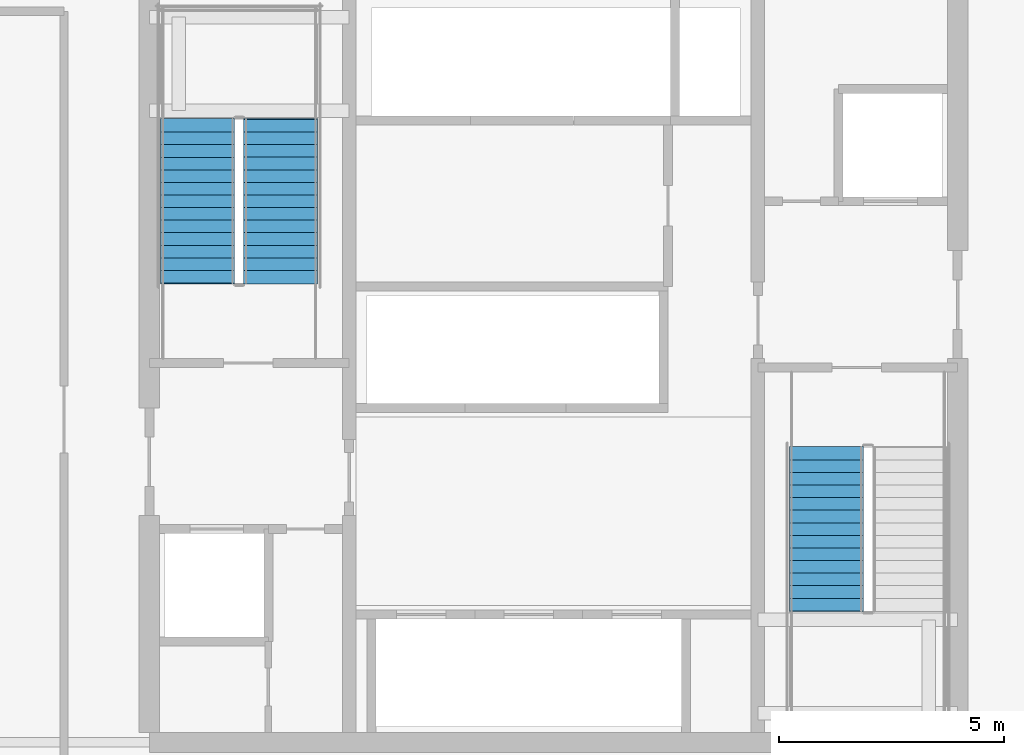
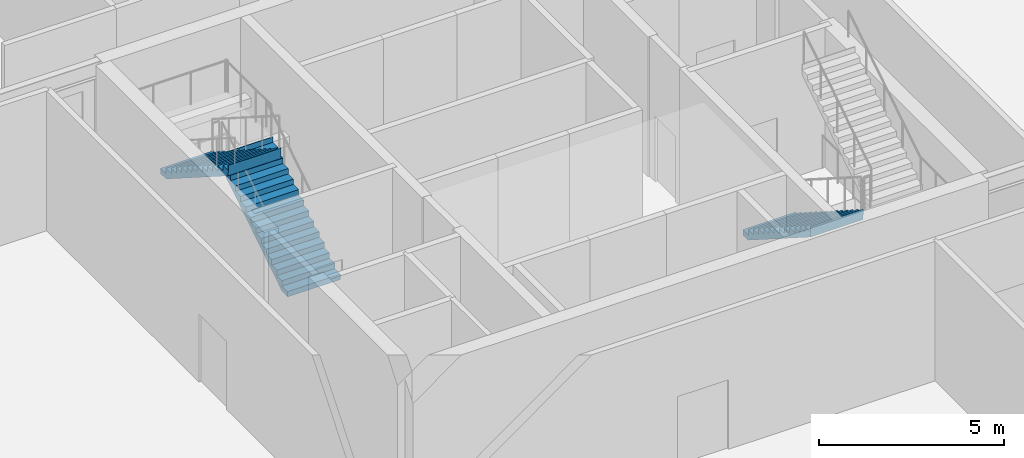
# One storey, part 16 of 20: 3 stair flights, 2 elements without a shape of their own.
"""IFC4 building model written with IfcOpenShell, lengths in metres."""

from ifc_helpers import new_model, si_unit, direction, frame, origin, place, context, subcontext, project, spatial, polygons, material, type_object, element, aggregate, save


model = new_model("IFC4")

# Units and contexts
model_context = context("Model", 3, precision=1e-05, world=origin(), true_north=direction((0.0, 1.0)))
body_context = subcontext(model_context, "Body", "Model", "MODEL_VIEW")
ifc_project = project(units=[si_unit("LENGTHUNIT", "METRE"), si_unit("AREAUNIT", "SQUARE_METRE"), si_unit("VOLUMEUNIT", "CUBIC_METRE"), si_unit("PLANEANGLEUNIT", "RADIAN"), si_unit("MASSUNIT", "GRAM", prefix="KILO")], contexts=[model_context])

# Site, building, storey
site_placement = place(None, origin())
site = spatial("IfcSite", under=ifc_project, at=site_placement, CompositionType="ELEMENT")
building_placement = place(site_placement, origin())
building = spatial("IfcBuilding", under=site, at=building_placement, Name="Serunith Strait Residences", CompositionType="ELEMENT")
storey_placement = place(building_placement, frame((0.0, 0.0, 5.5)))
storey = spatial("IfcBuildingStorey", under=building, at=storey_placement, Name="L01", CompositionType="ELEMENT", Elevation=5.5)

# Stair, stair flights
ifc_material = material(Name="Concrete C50/60", Category="concrete")
stair_type_1 = type_object("IfcStairType", Name="STR-CORE-1", PredefinedType="HALF_TURN_STAIR", material=ifc_material)
stair_1_placement = place(storey_placement, origin())
stair_1 = element("IfcStair", 1, at=stair_1_placement, inside=storey, type_object=stair_type_1, Name="L01 Protected Escape Stair ST-1", PredefinedType="HALF_TURN_STAIR")
stair_flight_type_1 = type_object("IfcStairFlightType", Name="FLT-CORE-1", PredefinedType="STRAIGHT", material=ifc_material)
stair_flight_1_placement = place(storey_placement, frame((26.324951171875, 27.030029296875, 0.0), z_axis=(0.0, 0.0, 1.0), x_axis=(0.0, 1.0, 0.0)))
stair_flight_1 = element("IfcStairFlight", 2, at=stair_flight_1_placement, type_object=stair_flight_type_1, Name="ST-1 flight 1", NumberOfRisers=14, NumberOfTreads=13, PredefinedType="STRAIGHT", RiserHeight=0.178571429, TreadLength=0.28, context=body_context, shape_type="Tessellation", body=[
    polygons([(-0.02001953125, -0.824951171875, 0.0), (-0.02001953125, -0.824951171875, 0.178466796875), (0.280029296875, -0.824951171875, 0.178466796875), (0.280029296875, -0.824951171875, 0.357177734375), (0.56005859375, -0.824951171875, 0.357177734375), (0.56005859375, -0.824951171875, 0.53564453125), (0.840087890625, -0.824951171875, 0.53564453125), (0.840087890625, -0.824951171875, 0.71435546875), (1.1201171875, -0.824951171875, 0.71435546875), (1.1201171875, -0.824951171875, 0.892822265625), (1.39990234375, -0.824951171875, 0.892822265625), (1.39990234375, -0.824951171875, 1.071533203125), (1.679931640625, -0.824951171875, 1.071533203125), (1.679931640625, -0.824951171875, 1.25), (1.9599609375, -0.824951171875, 1.25), (1.9599609375, -0.824951171875, 1.428466796875), (2.239990234375, -0.824951171875, 1.428466796875), (2.239990234375, -0.824951171875, 1.607177734375), (2.52001953125, -0.824951171875, 1.607177734375), (2.52001953125, -0.824951171875, 1.78564453125), (2.800048828125, -0.824951171875, 1.78564453125), (2.800048828125, -0.824951171875, 1.96435546875), (3.080078125, -0.824951171875, 1.96435546875), (3.080078125, -0.824951171875, 2.142822265625), (3.360107421875, -0.824951171875, 2.142822265625), (3.360107421875, -0.824951171875, 2.321533203125), (3.639892578125, -0.824951171875, 2.321533203125), (3.639892578125, -0.824951171875, 2.5), (3.659912109375, -0.824951171875, 2.5), (3.659912109375, -0.824951171875, 2.43994140625), (3.639892578125, -0.824951171875, 2.1435546875), (0.27880859375, -0.824951171875, 0.0), (-0.02001953125, -0.41259765625, 0.0), (-0.02001953125, -0.41259765625, 0.178466796875), (0.280029296875, -0.41259765625, 0.178466796875), (0.280029296875, -0.41259765625, 0.357177734375), (0.56005859375, -0.41259765625, 0.357177734375), (0.56005859375, -0.41259765625, 0.53564453125), (0.840087890625, -0.41259765625, 0.53564453125), (0.840087890625, -0.41259765625, 0.71435546875), (1.1201171875, -0.41259765625, 0.71435546875), (1.1201171875, -0.41259765625, 0.892822265625), (1.39990234375, -0.41259765625, 0.892822265625), (1.39990234375, -0.41259765625, 1.071533203125), (1.679931640625, -0.41259765625, 1.071533203125), (1.679931640625, -0.41259765625, 1.25), (1.9599609375, -0.41259765625, 1.25), (1.9599609375, -0.41259765625, 1.428466796875), (2.239990234375, -0.41259765625, 1.428466796875), (2.239990234375, -0.41259765625, 1.607177734375), (2.52001953125, -0.41259765625, 1.607177734375), (2.52001953125, -0.41259765625, 1.78564453125), (2.800048828125, -0.41259765625, 1.78564453125), (2.800048828125, -0.41259765625, 1.96435546875), (3.080078125, -0.41259765625, 1.96435546875), (3.080078125, -0.41259765625, 2.142822265625), (3.360107421875, -0.41259765625, 2.142822265625), (3.360107421875, -0.41259765625, 2.321533203125), (3.639892578125, -0.41259765625, 2.321533203125), (3.639892578125, -0.41259765625, 2.5), (3.659912109375, -0.41259765625, 2.5), (3.659912109375, -0.41259765625, 2.43994140625), (3.639892578125, -0.41259765625, 2.1435546875), (0.27880859375, -0.41259765625, 0.0), (-0.02001953125, 0.0, 0.0), (-0.02001953125, 0.0, 0.178466796875), (0.280029296875, 0.0, 0.178466796875), (0.280029296875, 0.0, 0.357177734375), (0.56005859375, 0.0, 0.357177734375), (0.56005859375, 0.0, 0.53564453125), (0.840087890625, 0.0, 0.53564453125), (0.840087890625, 0.0, 0.71435546875), (1.1201171875, 0.0, 0.71435546875), (1.1201171875, 0.0, 0.892822265625), (1.39990234375, 0.0, 0.892822265625), (1.39990234375, 0.0, 1.071533203125), (1.679931640625, 0.0, 1.071533203125), (1.679931640625, 0.0, 1.25), (1.9599609375, 0.0, 1.25), (1.9599609375, 0.0, 1.428466796875), (2.239990234375, 0.0, 1.428466796875), (2.239990234375, 0.0, 1.607177734375), (2.52001953125, 0.0, 1.607177734375), (2.52001953125, 0.0, 1.78564453125), (2.800048828125, 0.0, 1.78564453125), (2.800048828125, 0.0, 1.96435546875), (3.080078125, 0.0, 1.96435546875), (3.080078125, 0.0, 2.142822265625), (3.360107421875, 0.0, 2.142822265625), (3.360107421875, 0.0, 2.321533203125), (3.639892578125, 0.0, 2.321533203125), (3.639892578125, 0.0, 2.5), (3.659912109375, 0.0, 2.5), (3.659912109375, 0.0, 2.43994140625), (3.639892578125, 0.0, 2.1435546875), (0.27880859375, 0.0, 0.0), (-0.02001953125, 0.41259765625, 0.0), (-0.02001953125, 0.41259765625, 0.178466796875), (0.280029296875, 0.41259765625, 0.178466796875), (0.280029296875, 0.41259765625, 0.357177734375), (0.56005859375, 0.41259765625, 0.357177734375), (0.56005859375, 0.41259765625, 0.53564453125), (0.840087890625, 0.41259765625, 0.53564453125), (0.840087890625, 0.41259765625, 0.71435546875), (1.1201171875, 0.41259765625, 0.71435546875), (1.1201171875, 0.41259765625, 0.892822265625), (1.39990234375, 0.41259765625, 0.892822265625), (1.39990234375, 0.41259765625, 1.071533203125), (1.679931640625, 0.41259765625, 1.071533203125), (1.679931640625, 0.41259765625, 1.25), (1.9599609375, 0.41259765625, 1.25), (1.9599609375, 0.41259765625, 1.428466796875), (2.239990234375, 0.41259765625, 1.428466796875), (2.239990234375, 0.41259765625, 1.607177734375), (2.52001953125, 0.41259765625, 1.607177734375), (2.52001953125, 0.41259765625, 1.78564453125), (2.800048828125, 0.41259765625, 1.78564453125), (2.800048828125, 0.41259765625, 1.96435546875), (3.080078125, 0.41259765625, 1.96435546875), (3.080078125, 0.41259765625, 2.142822265625), (3.360107421875, 0.41259765625, 2.142822265625), (3.360107421875, 0.41259765625, 2.321533203125), (3.639892578125, 0.41259765625, 2.321533203125), (3.639892578125, 0.41259765625, 2.5), (3.659912109375, 0.41259765625, 2.5), (3.659912109375, 0.41259765625, 2.43994140625), (3.639892578125, 0.41259765625, 2.1435546875), (0.27880859375, 0.41259765625, 0.0), (-0.02001953125, 0.824951171875, 0.0), (-0.02001953125, 0.824951171875, 0.178466796875), (0.280029296875, 0.824951171875, 0.178466796875), (0.280029296875, 0.824951171875, 0.357177734375), (0.56005859375, 0.824951171875, 0.357177734375), (0.56005859375, 0.824951171875, 0.53564453125), (0.840087890625, 0.824951171875, 0.53564453125), (0.840087890625, 0.824951171875, 0.71435546875), (1.1201171875, 0.824951171875, 0.71435546875), (1.1201171875, 0.824951171875, 0.892822265625), (1.39990234375, 0.824951171875, 0.892822265625), (1.39990234375, 0.824951171875, 1.071533203125), (1.679931640625, 0.824951171875, 1.071533203125), (1.679931640625, 0.824951171875, 1.25), (1.9599609375, 0.824951171875, 1.25), (1.9599609375, 0.824951171875, 1.428466796875), (2.239990234375, 0.824951171875, 1.428466796875), (2.239990234375, 0.824951171875, 1.607177734375), (2.52001953125, 0.824951171875, 1.607177734375), (2.52001953125, 0.824951171875, 1.78564453125), (2.800048828125, 0.824951171875, 1.78564453125), (2.800048828125, 0.824951171875, 1.96435546875), (3.080078125, 0.824951171875, 1.96435546875), (3.080078125, 0.824951171875, 2.142822265625), (3.360107421875, 0.824951171875, 2.142822265625), (3.360107421875, 0.824951171875, 2.321533203125), (3.639892578125, 0.824951171875, 2.321533203125), (3.639892578125, 0.824951171875, 2.5), (3.659912109375, 0.824951171875, 2.5), (3.659912109375, 0.824951171875, 2.43994140625), (3.639892578125, 0.824951171875, 2.1435546875), (0.27880859375, 0.824951171875, 0.0)], [[[1, 2, 34, 33]], [[2, 3, 35, 34]], [[3, 4, 36, 35]], [[4, 5, 37, 36]], [[5, 6, 38, 37]], [[6, 7, 39, 38]], [[7, 8, 40, 39]], [[8, 9, 41, 40]], [[9, 10, 42, 41]], [[10, 11, 43, 42]], [[11, 12, 44, 43]], [[12, 13, 45, 44]], [[13, 14, 46, 45]], [[14, 15, 47, 46]], [[15, 16, 48, 47]], [[16, 17, 49, 48]], [[17, 18, 50, 49]], [[18, 19, 51, 50]], [[19, 20, 52, 51]], [[20, 21, 53, 52]], [[21, 22, 54, 53]], [[22, 23, 55, 54]], [[23, 24, 56, 55]], [[24, 25, 57, 56]], [[25, 26, 58, 57]], [[26, 27, 59, 58]], [[27, 28, 60, 59]], [[28, 29, 61, 60]], [[29, 30, 62, 61]], [[30, 31, 63, 62]], [[31, 32, 64, 63]], [[32, 1, 33, 64]], [[33, 34, 66, 65]], [[34, 35, 67, 66]], [[35, 36, 68, 67]], [[36, 37, 69, 68]], [[37, 38, 70, 69]], [[38, 39, 71, 70]], [[39, 40, 72, 71]], [[40, 41, 73, 72]], [[41, 42, 74, 73]], [[42, 43, 75, 74]], [[43, 44, 76, 75]], [[44, 45, 77, 76]], [[45, 46, 78, 77]], [[46, 47, 79, 78]], [[47, 48, 80, 79]], [[48, 49, 81, 80]], [[49, 50, 82, 81]], [[50, 51, 83, 82]], [[51, 52, 84, 83]], [[52, 53, 85, 84]], [[53, 54, 86, 85]], [[54, 55, 87, 86]], [[55, 56, 88, 87]], [[56, 57, 89, 88]], [[57, 58, 90, 89]], [[58, 59, 91, 90]], [[59, 60, 92, 91]], [[60, 61, 93, 92]], [[61, 62, 94, 93]], [[62, 63, 95, 94]], [[63, 64, 96, 95]], [[64, 33, 65, 96]], [[65, 66, 98, 97]], [[66, 67, 99, 98]], [[67, 68, 100, 99]], [[68, 69, 101, 100]], [[69, 70, 102, 101]], [[70, 71, 103, 102]], [[71, 72, 104, 103]], [[72, 73, 105, 104]], [[73, 74, 106, 105]], [[74, 75, 107, 106]], [[75, 76, 108, 107]], [[76, 77, 109, 108]], [[77, 78, 110, 109]], [[78, 79, 111, 110]], [[79, 80, 112, 111]], [[80, 81, 113, 112]], [[81, 82, 114, 113]], [[82, 83, 115, 114]], [[83, 84, 116, 115]], [[84, 85, 117, 116]], [[85, 86, 118, 117]], [[86, 87, 119, 118]], [[87, 88, 120, 119]], [[88, 89, 121, 120]], [[89, 90, 122, 121]], [[90, 91, 123, 122]], [[91, 92, 124, 123]], [[92, 93, 125, 124]], [[93, 94, 126, 125]], [[94, 95, 127, 126]], [[95, 96, 128, 127]], [[96, 65, 97, 128]], [[97, 98, 130, 129]], [[98, 99, 131, 130]], [[99, 100, 132, 131]], [[100, 101, 133, 132]], [[101, 102, 134, 133]], [[102, 103, 135, 134]], [[103, 104, 136, 135]], [[104, 105, 137, 136]], [[105, 106, 138, 137]], [[106, 107, 139, 138]], [[107, 108, 140, 139]], [[108, 109, 141, 140]], [[109, 110, 142, 141]], [[110, 111, 143, 142]], [[111, 112, 144, 143]], [[112, 113, 145, 144]], [[113, 114, 146, 145]], [[114, 115, 147, 146]], [[115, 116, 148, 147]], [[116, 117, 149, 148]], [[117, 118, 150, 149]], [[118, 119, 151, 150]], [[119, 120, 152, 151]], [[120, 121, 153, 152]], [[121, 122, 154, 153]], [[122, 123, 155, 154]], [[123, 124, 156, 155]], [[124, 125, 157, 156]], [[125, 126, 158, 157]], [[126, 127, 159, 158]], [[127, 128, 160, 159]], [[128, 97, 129, 160]], [[32, 31, 30, 29, 28, 27, 26, 25, 24, 23, 22, 21, 20, 19, 18, 17, 16, 15, 14, 13, 12, 11, 10, 9, 8, 7, 6, 5, 4, 3, 2, 1]], [[129, 130, 131, 132, 133, 134, 135, 136, 137, 138, 139, 140, 141, 142, 143, 144, 145, 146, 147, 148, 149, 150, 151, 152, 153, 154, 155, 156, 157, 158, 159, 160]]], closed=True),
])
stair_flight_2_placement = place(storey_placement, frame((24.47509765625, 30.669921875, 2.5), z_axis=(0.0, 0.0, 1.0), x_axis=(0.0, -1.0, 0.0)))
stair_flight_2 = element("IfcStairFlight", 3, at=stair_flight_2_placement, type_object=stair_flight_type_1, Name="ST-1 flight 2", NumberOfRisers=14, NumberOfTreads=13, PredefinedType="STRAIGHT", RiserHeight=0.178571429, TreadLength=0.28, context=body_context, shape_type="Tessellation", body=[
    polygons([(-0.02001953125, -0.824951171875, 0.0), (-0.02001953125, -0.824951171875, 0.178466796875), (0.280029296875, -0.824951171875, 0.178466796875), (0.280029296875, -0.824951171875, 0.357177734375), (0.56005859375, -0.824951171875, 0.357177734375), (0.56005859375, -0.824951171875, 0.53564453125), (0.840087890625, -0.824951171875, 0.53564453125), (0.840087890625, -0.824951171875, 0.71435546875), (1.1201171875, -0.824951171875, 0.71435546875), (1.1201171875, -0.824951171875, 0.892822265625), (1.39990234375, -0.824951171875, 0.892822265625), (1.39990234375, -0.824951171875, 1.071533203125), (1.679931640625, -0.824951171875, 1.071533203125), (1.679931640625, -0.824951171875, 1.25), (1.9599609375, -0.824951171875, 1.25), (1.9599609375, -0.824951171875, 1.428466796875), (2.239990234375, -0.824951171875, 1.428466796875), (2.239990234375, -0.824951171875, 1.607177734375), (2.52001953125, -0.824951171875, 1.607177734375), (2.52001953125, -0.824951171875, 1.78564453125), (2.800048828125, -0.824951171875, 1.78564453125), (2.800048828125, -0.824951171875, 1.96435546875), (3.080078125, -0.824951171875, 1.96435546875), (3.080078125, -0.824951171875, 2.142822265625), (3.360107421875, -0.824951171875, 2.142822265625), (3.360107421875, -0.824951171875, 2.321533203125), (3.639892578125, -0.824951171875, 2.321533203125), (3.639892578125, -0.824951171875, 2.5), (3.659912109375, -0.824951171875, 2.5), (3.659912109375, -0.824951171875, 2.43994140625), (3.639892578125, -0.824951171875, 2.1435546875), (0.27880859375, -0.824951171875, 0.0), (-0.02001953125, -0.41259765625, 0.0), (-0.02001953125, -0.41259765625, 0.178466796875), (0.280029296875, -0.41259765625, 0.178466796875), (0.280029296875, -0.41259765625, 0.357177734375), (0.56005859375, -0.41259765625, 0.357177734375), (0.56005859375, -0.41259765625, 0.53564453125), (0.840087890625, -0.41259765625, 0.53564453125), (0.840087890625, -0.41259765625, 0.71435546875), (1.1201171875, -0.41259765625, 0.71435546875), (1.1201171875, -0.41259765625, 0.892822265625), (1.39990234375, -0.41259765625, 0.892822265625), (1.39990234375, -0.41259765625, 1.071533203125), (1.679931640625, -0.41259765625, 1.071533203125), (1.679931640625, -0.41259765625, 1.25), (1.9599609375, -0.41259765625, 1.25), (1.9599609375, -0.41259765625, 1.428466796875), (2.239990234375, -0.41259765625, 1.428466796875), (2.239990234375, -0.41259765625, 1.607177734375), (2.52001953125, -0.41259765625, 1.607177734375), (2.52001953125, -0.41259765625, 1.78564453125), (2.800048828125, -0.41259765625, 1.78564453125), (2.800048828125, -0.41259765625, 1.96435546875), (3.080078125, -0.41259765625, 1.96435546875), (3.080078125, -0.41259765625, 2.142822265625), (3.360107421875, -0.41259765625, 2.142822265625), (3.360107421875, -0.41259765625, 2.321533203125), (3.639892578125, -0.41259765625, 2.321533203125), (3.639892578125, -0.41259765625, 2.5), (3.659912109375, -0.41259765625, 2.5), (3.659912109375, -0.41259765625, 2.43994140625), (3.639892578125, -0.41259765625, 2.1435546875), (0.27880859375, -0.41259765625, 0.0), (-0.02001953125, 0.0, 0.0), (-0.02001953125, 0.0, 0.178466796875), (0.280029296875, 0.0, 0.178466796875), (0.280029296875, 0.0, 0.357177734375), (0.56005859375, 0.0, 0.357177734375), (0.56005859375, 0.0, 0.53564453125), (0.840087890625, 0.0, 0.53564453125), (0.840087890625, 0.0, 0.71435546875), (1.1201171875, 0.0, 0.71435546875), (1.1201171875, 0.0, 0.892822265625), (1.39990234375, 0.0, 0.892822265625), (1.39990234375, 0.0, 1.071533203125), (1.679931640625, 0.0, 1.071533203125), (1.679931640625, 0.0, 1.25), (1.9599609375, 0.0, 1.25), (1.9599609375, 0.0, 1.428466796875), (2.239990234375, 0.0, 1.428466796875), (2.239990234375, 0.0, 1.607177734375), (2.52001953125, 0.0, 1.607177734375), (2.52001953125, 0.0, 1.78564453125), (2.800048828125, 0.0, 1.78564453125), (2.800048828125, 0.0, 1.96435546875), (3.080078125, 0.0, 1.96435546875), (3.080078125, 0.0, 2.142822265625), (3.360107421875, 0.0, 2.142822265625), (3.360107421875, 0.0, 2.321533203125), (3.639892578125, 0.0, 2.321533203125), (3.639892578125, 0.0, 2.5), (3.659912109375, 0.0, 2.5), (3.659912109375, 0.0, 2.43994140625), (3.639892578125, 0.0, 2.1435546875), (0.27880859375, 0.0, 0.0), (-0.02001953125, 0.41259765625, 0.0), (-0.02001953125, 0.41259765625, 0.178466796875), (0.280029296875, 0.41259765625, 0.178466796875), (0.280029296875, 0.41259765625, 0.357177734375), (0.56005859375, 0.41259765625, 0.357177734375), (0.56005859375, 0.41259765625, 0.53564453125), (0.840087890625, 0.41259765625, 0.53564453125), (0.840087890625, 0.41259765625, 0.71435546875), (1.1201171875, 0.41259765625, 0.71435546875), (1.1201171875, 0.41259765625, 0.892822265625), (1.39990234375, 0.41259765625, 0.892822265625), (1.39990234375, 0.41259765625, 1.071533203125), (1.679931640625, 0.41259765625, 1.071533203125), (1.679931640625, 0.41259765625, 1.25), (1.9599609375, 0.41259765625, 1.25), (1.9599609375, 0.41259765625, 1.428466796875), (2.239990234375, 0.41259765625, 1.428466796875), (2.239990234375, 0.41259765625, 1.607177734375), (2.52001953125, 0.41259765625, 1.607177734375), (2.52001953125, 0.41259765625, 1.78564453125), (2.800048828125, 0.41259765625, 1.78564453125), (2.800048828125, 0.41259765625, 1.96435546875), (3.080078125, 0.41259765625, 1.96435546875), (3.080078125, 0.41259765625, 2.142822265625), (3.360107421875, 0.41259765625, 2.142822265625), (3.360107421875, 0.41259765625, 2.321533203125), (3.639892578125, 0.41259765625, 2.321533203125), (3.639892578125, 0.41259765625, 2.5), (3.659912109375, 0.41259765625, 2.5), (3.659912109375, 0.41259765625, 2.43994140625), (3.639892578125, 0.41259765625, 2.1435546875), (0.27880859375, 0.41259765625, 0.0), (-0.02001953125, 0.824951171875, 0.0), (-0.02001953125, 0.824951171875, 0.178466796875), (0.280029296875, 0.824951171875, 0.178466796875), (0.280029296875, 0.824951171875, 0.357177734375), (0.56005859375, 0.824951171875, 0.357177734375), (0.56005859375, 0.824951171875, 0.53564453125), (0.840087890625, 0.824951171875, 0.53564453125), (0.840087890625, 0.824951171875, 0.71435546875), (1.1201171875, 0.824951171875, 0.71435546875), (1.1201171875, 0.824951171875, 0.892822265625), (1.39990234375, 0.824951171875, 0.892822265625), (1.39990234375, 0.824951171875, 1.071533203125), (1.679931640625, 0.824951171875, 1.071533203125), (1.679931640625, 0.824951171875, 1.25), (1.9599609375, 0.824951171875, 1.25), (1.9599609375, 0.824951171875, 1.428466796875), (2.239990234375, 0.824951171875, 1.428466796875), (2.239990234375, 0.824951171875, 1.607177734375), (2.52001953125, 0.824951171875, 1.607177734375), (2.52001953125, 0.824951171875, 1.78564453125), (2.800048828125, 0.824951171875, 1.78564453125), (2.800048828125, 0.824951171875, 1.96435546875), (3.080078125, 0.824951171875, 1.96435546875), (3.080078125, 0.824951171875, 2.142822265625), (3.360107421875, 0.824951171875, 2.142822265625), (3.360107421875, 0.824951171875, 2.321533203125), (3.639892578125, 0.824951171875, 2.321533203125), (3.639892578125, 0.824951171875, 2.5), (3.659912109375, 0.824951171875, 2.5), (3.659912109375, 0.824951171875, 2.43994140625), (3.639892578125, 0.824951171875, 2.1435546875), (0.27880859375, 0.824951171875, 0.0)], [[[1, 2, 34, 33]], [[2, 3, 35, 34]], [[3, 4, 36, 35]], [[4, 5, 37, 36]], [[5, 6, 38, 37]], [[6, 7, 39, 38]], [[7, 8, 40, 39]], [[8, 9, 41, 40]], [[9, 10, 42, 41]], [[10, 11, 43, 42]], [[11, 12, 44, 43]], [[12, 13, 45, 44]], [[13, 14, 46, 45]], [[14, 15, 47, 46]], [[15, 16, 48, 47]], [[16, 17, 49, 48]], [[17, 18, 50, 49]], [[18, 19, 51, 50]], [[19, 20, 52, 51]], [[20, 21, 53, 52]], [[21, 22, 54, 53]], [[22, 23, 55, 54]], [[23, 24, 56, 55]], [[24, 25, 57, 56]], [[25, 26, 58, 57]], [[26, 27, 59, 58]], [[27, 28, 60, 59]], [[28, 29, 61, 60]], [[29, 30, 62, 61]], [[30, 31, 63, 62]], [[31, 32, 64, 63]], [[32, 1, 33, 64]], [[33, 34, 66, 65]], [[34, 35, 67, 66]], [[35, 36, 68, 67]], [[36, 37, 69, 68]], [[37, 38, 70, 69]], [[38, 39, 71, 70]], [[39, 40, 72, 71]], [[40, 41, 73, 72]], [[41, 42, 74, 73]], [[42, 43, 75, 74]], [[43, 44, 76, 75]], [[44, 45, 77, 76]], [[45, 46, 78, 77]], [[46, 47, 79, 78]], [[47, 48, 80, 79]], [[48, 49, 81, 80]], [[49, 50, 82, 81]], [[50, 51, 83, 82]], [[51, 52, 84, 83]], [[52, 53, 85, 84]], [[53, 54, 86, 85]], [[54, 55, 87, 86]], [[55, 56, 88, 87]], [[56, 57, 89, 88]], [[57, 58, 90, 89]], [[58, 59, 91, 90]], [[59, 60, 92, 91]], [[60, 61, 93, 92]], [[61, 62, 94, 93]], [[62, 63, 95, 94]], [[63, 64, 96, 95]], [[64, 33, 65, 96]], [[65, 66, 98, 97]], [[66, 67, 99, 98]], [[67, 68, 100, 99]], [[68, 69, 101, 100]], [[69, 70, 102, 101]], [[70, 71, 103, 102]], [[71, 72, 104, 103]], [[72, 73, 105, 104]], [[73, 74, 106, 105]], [[74, 75, 107, 106]], [[75, 76, 108, 107]], [[76, 77, 109, 108]], [[77, 78, 110, 109]], [[78, 79, 111, 110]], [[79, 80, 112, 111]], [[80, 81, 113, 112]], [[81, 82, 114, 113]], [[82, 83, 115, 114]], [[83, 84, 116, 115]], [[84, 85, 117, 116]], [[85, 86, 118, 117]], [[86, 87, 119, 118]], [[87, 88, 120, 119]], [[88, 89, 121, 120]], [[89, 90, 122, 121]], [[90, 91, 123, 122]], [[91, 92, 124, 123]], [[92, 93, 125, 124]], [[93, 94, 126, 125]], [[94, 95, 127, 126]], [[95, 96, 128, 127]], [[96, 65, 97, 128]], [[97, 98, 130, 129]], [[98, 99, 131, 130]], [[99, 100, 132, 131]], [[100, 101, 133, 132]], [[101, 102, 134, 133]], [[102, 103, 135, 134]], [[103, 104, 136, 135]], [[104, 105, 137, 136]], [[105, 106, 138, 137]], [[106, 107, 139, 138]], [[107, 108, 140, 139]], [[108, 109, 141, 140]], [[109, 110, 142, 141]], [[110, 111, 143, 142]], [[111, 112, 144, 143]], [[112, 113, 145, 144]], [[113, 114, 146, 145]], [[114, 115, 147, 146]], [[115, 116, 148, 147]], [[116, 117, 149, 148]], [[117, 118, 150, 149]], [[118, 119, 151, 150]], [[119, 120, 152, 151]], [[120, 121, 153, 152]], [[121, 122, 154, 153]], [[122, 123, 155, 154]], [[123, 124, 156, 155]], [[124, 125, 157, 156]], [[125, 126, 158, 157]], [[126, 127, 159, 158]], [[127, 128, 160, 159]], [[128, 97, 129, 160]], [[32, 31, 30, 29, 28, 27, 26, 25, 24, 23, 22, 21, 20, 19, 18, 17, 16, 15, 14, 13, 12, 11, 10, 9, 8, 7, 6, 5, 4, 3, 2, 1]], [[129, 130, 131, 132, 133, 134, 135, 136, 137, 138, 139, 140, 141, 142, 143, 144, 145, 146, 147, 148, 149, 150, 151, 152, 153, 154, 155, 156, 157, 158, 159, 160]]], closed=True),
])
aggregate(stair_1, [stair_flight_1, stair_flight_2])

# Stair, stair flight
stair_type_2 = type_object("IfcStairType", Name="STR-CORE-2", PredefinedType="HALF_TURN_STAIR", material=ifc_material)
stair_2_placement = place(storey_placement, origin())
stair_2 = element("IfcStair", 4, at=stair_2_placement, inside=storey, type_object=stair_type_2, Name="L01 Protected Escape Stair ST-2", PredefinedType="HALF_TURN_STAIR")
stair_flight_type_2 = type_object("IfcStairFlightType", Name="FLT-CORE-2", PredefinedType="STRAIGHT", material=ifc_material)
stair_flight_3_placement = place(storey_placement, frame((38.47509765625, 23.3701171875, 0.0), z_axis=(0.0, 0.0, 1.0), x_axis=(0.0, -1.0, 0.0)))
stair_flight_3 = element("IfcStairFlight", 5, at=stair_flight_3_placement, type_object=stair_flight_type_2, Name="ST-2 flight 1", NumberOfRisers=14, NumberOfTreads=13, PredefinedType="STRAIGHT", RiserHeight=0.178571429, TreadLength=0.28, context=body_context, shape_type="Tessellation", body=[
    polygons([(-0.02001953125, -0.824951171875, 0.0), (-0.02001953125, -0.824951171875, 0.178466796875), (0.280029296875, -0.824951171875, 0.178466796875), (0.280029296875, -0.824951171875, 0.357177734375), (0.56005859375, -0.824951171875, 0.357177734375), (0.56005859375, -0.824951171875, 0.53564453125), (0.840087890625, -0.824951171875, 0.53564453125), (0.840087890625, -0.824951171875, 0.71435546875), (1.1201171875, -0.824951171875, 0.71435546875), (1.1201171875, -0.824951171875, 0.892822265625), (1.39990234375, -0.824951171875, 0.892822265625), (1.39990234375, -0.824951171875, 1.071533203125), (1.679931640625, -0.824951171875, 1.071533203125), (1.679931640625, -0.824951171875, 1.25), (1.9599609375, -0.824951171875, 1.25), (1.9599609375, -0.824951171875, 1.428466796875), (2.239990234375, -0.824951171875, 1.428466796875), (2.239990234375, -0.824951171875, 1.607177734375), (2.52001953125, -0.824951171875, 1.607177734375), (2.52001953125, -0.824951171875, 1.78564453125), (2.800048828125, -0.824951171875, 1.78564453125), (2.800048828125, -0.824951171875, 1.96435546875), (3.080078125, -0.824951171875, 1.96435546875), (3.080078125, -0.824951171875, 2.142822265625), (3.360107421875, -0.824951171875, 2.142822265625), (3.360107421875, -0.824951171875, 2.321533203125), (3.639892578125, -0.824951171875, 2.321533203125), (3.639892578125, -0.824951171875, 2.5), (3.659912109375, -0.824951171875, 2.5), (3.659912109375, -0.824951171875, 2.43994140625), (3.639892578125, -0.824951171875, 2.1435546875), (0.27880859375, -0.824951171875, 0.0), (-0.02001953125, -0.41259765625, 0.0), (-0.02001953125, -0.41259765625, 0.178466796875), (0.280029296875, -0.41259765625, 0.178466796875), (0.280029296875, -0.41259765625, 0.357177734375), (0.56005859375, -0.41259765625, 0.357177734375), (0.56005859375, -0.41259765625, 0.53564453125), (0.840087890625, -0.41259765625, 0.53564453125), (0.840087890625, -0.41259765625, 0.71435546875), (1.1201171875, -0.41259765625, 0.71435546875), (1.1201171875, -0.41259765625, 0.892822265625), (1.39990234375, -0.41259765625, 0.892822265625), (1.39990234375, -0.41259765625, 1.071533203125), (1.679931640625, -0.41259765625, 1.071533203125), (1.679931640625, -0.41259765625, 1.25), (1.9599609375, -0.41259765625, 1.25), (1.9599609375, -0.41259765625, 1.428466796875), (2.239990234375, -0.41259765625, 1.428466796875), (2.239990234375, -0.41259765625, 1.607177734375), (2.52001953125, -0.41259765625, 1.607177734375), (2.52001953125, -0.41259765625, 1.78564453125), (2.800048828125, -0.41259765625, 1.78564453125), (2.800048828125, -0.41259765625, 1.96435546875), (3.080078125, -0.41259765625, 1.96435546875), (3.080078125, -0.41259765625, 2.142822265625), (3.360107421875, -0.41259765625, 2.142822265625), (3.360107421875, -0.41259765625, 2.321533203125), (3.639892578125, -0.41259765625, 2.321533203125), (3.639892578125, -0.41259765625, 2.5), (3.659912109375, -0.41259765625, 2.5), (3.659912109375, -0.41259765625, 2.43994140625), (3.639892578125, -0.41259765625, 2.1435546875), (0.27880859375, -0.41259765625, 0.0), (-0.02001953125, 0.0, 0.0), (-0.02001953125, 0.0, 0.178466796875), (0.280029296875, 0.0, 0.178466796875), (0.280029296875, 0.0, 0.357177734375), (0.56005859375, 0.0, 0.357177734375), (0.56005859375, 0.0, 0.53564453125), (0.840087890625, 0.0, 0.53564453125), (0.840087890625, 0.0, 0.71435546875), (1.1201171875, 0.0, 0.71435546875), (1.1201171875, 0.0, 0.892822265625), (1.39990234375, 0.0, 0.892822265625), (1.39990234375, 0.0, 1.071533203125), (1.679931640625, 0.0, 1.071533203125), (1.679931640625, 0.0, 1.25), (1.9599609375, 0.0, 1.25), (1.9599609375, 0.0, 1.428466796875), (2.239990234375, 0.0, 1.428466796875), (2.239990234375, 0.0, 1.607177734375), (2.52001953125, 0.0, 1.607177734375), (2.52001953125, 0.0, 1.78564453125), (2.800048828125, 0.0, 1.78564453125), (2.800048828125, 0.0, 1.96435546875), (3.080078125, 0.0, 1.96435546875), (3.080078125, 0.0, 2.142822265625), (3.360107421875, 0.0, 2.142822265625), (3.360107421875, 0.0, 2.321533203125), (3.639892578125, 0.0, 2.321533203125), (3.639892578125, 0.0, 2.5), (3.659912109375, 0.0, 2.5), (3.659912109375, 0.0, 2.43994140625), (3.639892578125, 0.0, 2.1435546875), (0.27880859375, 0.0, 0.0), (-0.02001953125, 0.41259765625, 0.0), (-0.02001953125, 0.41259765625, 0.178466796875), (0.280029296875, 0.41259765625, 0.178466796875), (0.280029296875, 0.41259765625, 0.357177734375), (0.56005859375, 0.41259765625, 0.357177734375), (0.56005859375, 0.41259765625, 0.53564453125), (0.840087890625, 0.41259765625, 0.53564453125), (0.840087890625, 0.41259765625, 0.71435546875), (1.1201171875, 0.41259765625, 0.71435546875), (1.1201171875, 0.41259765625, 0.892822265625), (1.39990234375, 0.41259765625, 0.892822265625), (1.39990234375, 0.41259765625, 1.071533203125), (1.679931640625, 0.41259765625, 1.071533203125), (1.679931640625, 0.41259765625, 1.25), (1.9599609375, 0.41259765625, 1.25), (1.9599609375, 0.41259765625, 1.428466796875), (2.239990234375, 0.41259765625, 1.428466796875), (2.239990234375, 0.41259765625, 1.607177734375), (2.52001953125, 0.41259765625, 1.607177734375), (2.52001953125, 0.41259765625, 1.78564453125), (2.800048828125, 0.41259765625, 1.78564453125), (2.800048828125, 0.41259765625, 1.96435546875), (3.080078125, 0.41259765625, 1.96435546875), (3.080078125, 0.41259765625, 2.142822265625), (3.360107421875, 0.41259765625, 2.142822265625), (3.360107421875, 0.41259765625, 2.321533203125), (3.639892578125, 0.41259765625, 2.321533203125), (3.639892578125, 0.41259765625, 2.5), (3.659912109375, 0.41259765625, 2.5), (3.659912109375, 0.41259765625, 2.43994140625), (3.639892578125, 0.41259765625, 2.1435546875), (0.27880859375, 0.41259765625, 0.0), (-0.02001953125, 0.824951171875, 0.0), (-0.02001953125, 0.824951171875, 0.178466796875), (0.280029296875, 0.824951171875, 0.178466796875), (0.280029296875, 0.824951171875, 0.357177734375), (0.56005859375, 0.824951171875, 0.357177734375), (0.56005859375, 0.824951171875, 0.53564453125), (0.840087890625, 0.824951171875, 0.53564453125), (0.840087890625, 0.824951171875, 0.71435546875), (1.1201171875, 0.824951171875, 0.71435546875), (1.1201171875, 0.824951171875, 0.892822265625), (1.39990234375, 0.824951171875, 0.892822265625), (1.39990234375, 0.824951171875, 1.071533203125), (1.679931640625, 0.824951171875, 1.071533203125), (1.679931640625, 0.824951171875, 1.25), (1.9599609375, 0.824951171875, 1.25), (1.9599609375, 0.824951171875, 1.428466796875), (2.239990234375, 0.824951171875, 1.428466796875), (2.239990234375, 0.824951171875, 1.607177734375), (2.52001953125, 0.824951171875, 1.607177734375), (2.52001953125, 0.824951171875, 1.78564453125), (2.800048828125, 0.824951171875, 1.78564453125), (2.800048828125, 0.824951171875, 1.96435546875), (3.080078125, 0.824951171875, 1.96435546875), (3.080078125, 0.824951171875, 2.142822265625), (3.360107421875, 0.824951171875, 2.142822265625), (3.360107421875, 0.824951171875, 2.321533203125), (3.639892578125, 0.824951171875, 2.321533203125), (3.639892578125, 0.824951171875, 2.5), (3.659912109375, 0.824951171875, 2.5), (3.659912109375, 0.824951171875, 2.43994140625), (3.639892578125, 0.824951171875, 2.1435546875), (0.27880859375, 0.824951171875, 0.0)], [[[1, 2, 34, 33]], [[2, 3, 35, 34]], [[3, 4, 36, 35]], [[4, 5, 37, 36]], [[5, 6, 38, 37]], [[6, 7, 39, 38]], [[7, 8, 40, 39]], [[8, 9, 41, 40]], [[9, 10, 42, 41]], [[10, 11, 43, 42]], [[11, 12, 44, 43]], [[12, 13, 45, 44]], [[13, 14, 46, 45]], [[14, 15, 47, 46]], [[15, 16, 48, 47]], [[16, 17, 49, 48]], [[17, 18, 50, 49]], [[18, 19, 51, 50]], [[19, 20, 52, 51]], [[20, 21, 53, 52]], [[21, 22, 54, 53]], [[22, 23, 55, 54]], [[23, 24, 56, 55]], [[24, 25, 57, 56]], [[25, 26, 58, 57]], [[26, 27, 59, 58]], [[27, 28, 60, 59]], [[28, 29, 61, 60]], [[29, 30, 62, 61]], [[30, 31, 63, 62]], [[31, 32, 64, 63]], [[32, 1, 33, 64]], [[33, 34, 66, 65]], [[34, 35, 67, 66]], [[35, 36, 68, 67]], [[36, 37, 69, 68]], [[37, 38, 70, 69]], [[38, 39, 71, 70]], [[39, 40, 72, 71]], [[40, 41, 73, 72]], [[41, 42, 74, 73]], [[42, 43, 75, 74]], [[43, 44, 76, 75]], [[44, 45, 77, 76]], [[45, 46, 78, 77]], [[46, 47, 79, 78]], [[47, 48, 80, 79]], [[48, 49, 81, 80]], [[49, 50, 82, 81]], [[50, 51, 83, 82]], [[51, 52, 84, 83]], [[52, 53, 85, 84]], [[53, 54, 86, 85]], [[54, 55, 87, 86]], [[55, 56, 88, 87]], [[56, 57, 89, 88]], [[57, 58, 90, 89]], [[58, 59, 91, 90]], [[59, 60, 92, 91]], [[60, 61, 93, 92]], [[61, 62, 94, 93]], [[62, 63, 95, 94]], [[63, 64, 96, 95]], [[64, 33, 65, 96]], [[65, 66, 98, 97]], [[66, 67, 99, 98]], [[67, 68, 100, 99]], [[68, 69, 101, 100]], [[69, 70, 102, 101]], [[70, 71, 103, 102]], [[71, 72, 104, 103]], [[72, 73, 105, 104]], [[73, 74, 106, 105]], [[74, 75, 107, 106]], [[75, 76, 108, 107]], [[76, 77, 109, 108]], [[77, 78, 110, 109]], [[78, 79, 111, 110]], [[79, 80, 112, 111]], [[80, 81, 113, 112]], [[81, 82, 114, 113]], [[82, 83, 115, 114]], [[83, 84, 116, 115]], [[84, 85, 117, 116]], [[85, 86, 118, 117]], [[86, 87, 119, 118]], [[87, 88, 120, 119]], [[88, 89, 121, 120]], [[89, 90, 122, 121]], [[90, 91, 123, 122]], [[91, 92, 124, 123]], [[92, 93, 125, 124]], [[93, 94, 126, 125]], [[94, 95, 127, 126]], [[95, 96, 128, 127]], [[96, 65, 97, 128]], [[97, 98, 130, 129]], [[98, 99, 131, 130]], [[99, 100, 132, 131]], [[100, 101, 133, 132]], [[101, 102, 134, 133]], [[102, 103, 135, 134]], [[103, 104, 136, 135]], [[104, 105, 137, 136]], [[105, 106, 138, 137]], [[106, 107, 139, 138]], [[107, 108, 140, 139]], [[108, 109, 141, 140]], [[109, 110, 142, 141]], [[110, 111, 143, 142]], [[111, 112, 144, 143]], [[112, 113, 145, 144]], [[113, 114, 146, 145]], [[114, 115, 147, 146]], [[115, 116, 148, 147]], [[116, 117, 149, 148]], [[117, 118, 150, 149]], [[118, 119, 151, 150]], [[119, 120, 152, 151]], [[120, 121, 153, 152]], [[121, 122, 154, 153]], [[122, 123, 155, 154]], [[123, 124, 156, 155]], [[124, 125, 157, 156]], [[125, 126, 158, 157]], [[126, 127, 159, 158]], [[127, 128, 160, 159]], [[128, 97, 129, 160]], [[32, 31, 30, 29, 28, 27, 26, 25, 24, 23, 22, 21, 20, 19, 18, 17, 16, 15, 14, 13, 12, 11, 10, 9, 8, 7, 6, 5, 4, 3, 2, 1]], [[129, 130, 131, 132, 133, 134, 135, 136, 137, 138, 139, 140, 141, 142, 143, 144, 145, 146, 147, 148, 149, 150, 151, 152, 153, 154, 155, 156, 157, 158, 159, 160]]], closed=True),
])
aggregate(stair_2, [stair_flight_3])

save(model, "model.ifc")
